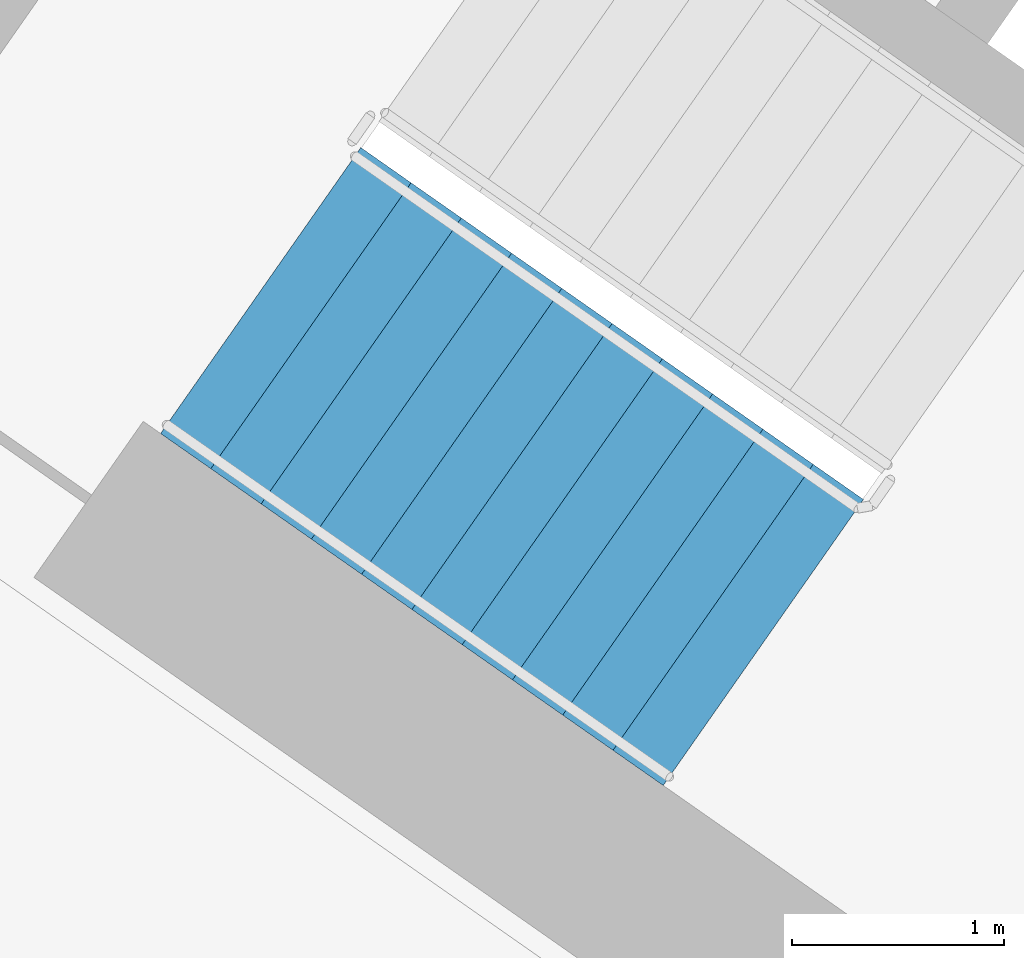
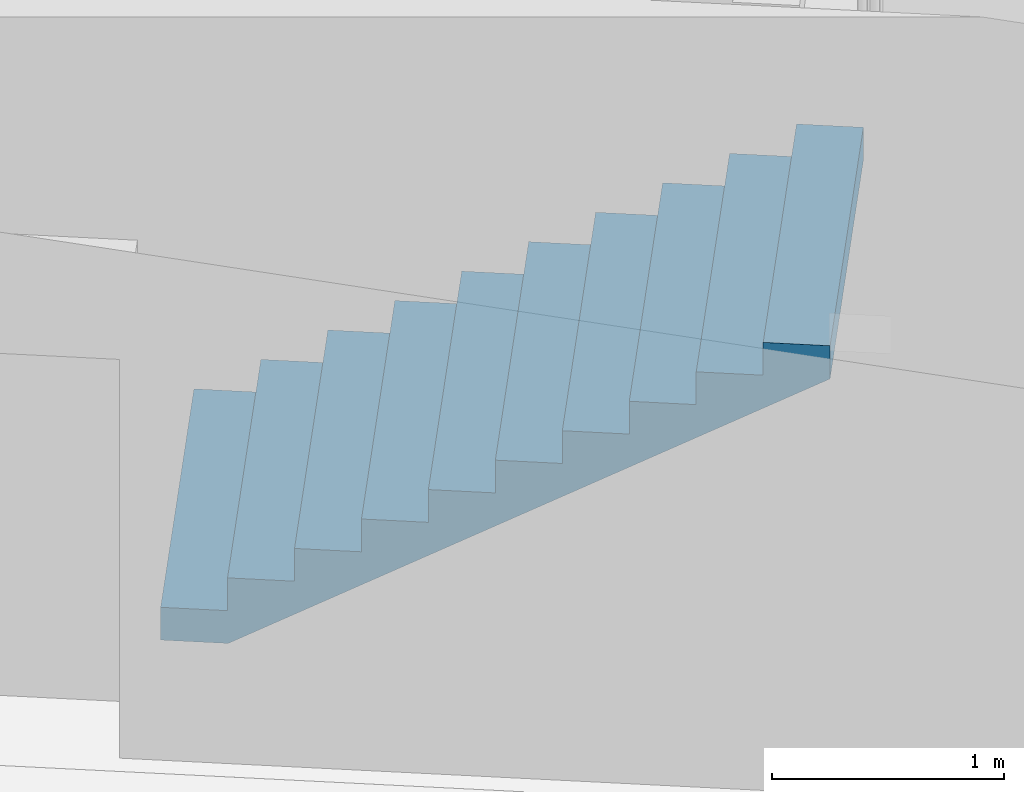
# One storey, part 11 of 29: 1 stair flight, 1 element without a shape of its own.
"""IFC4 building model written with IfcOpenShell, lengths in metres."""

import ifcopenshell
import ifcopenshell.guid

model = None  # the IFC model being written
_history = None  # IfcOwnerHistory: only IFC2X3 demands one
_inside = {}  # id of a spatial element -> (the spatial element, [elements in it])
_under = {}  # id of a project, library or spatial element -> (it, [spatial elements below it])
_declared = {}  # id of a project -> (the project, [libraries it declares])
_typed = {}  # id of a type object -> (the type object, [elements of that type])
_made_of = {}  # id of a material, layer set ... -> (it, [elements and type objects made of it])


def new_model(schema):
    """Start an empty IFC model of exactly this schema.

    Asked for "IFC4X3", IfcOpenShell would pick the latest addendum, in which some entities
    have other attributes; the version numbers below select the first issue.
    IFC2X3 requires an IfcOwnerHistory on every rooted entity: one is made here for all.
    """
    global model, _history
    if schema == "IFC4X3":
        model = ifcopenshell.file(schema_version=(4, 3, 0, 0))
    else:
        model = ifcopenshell.file(schema=schema)
    _inside.clear()
    _under.clear()
    _declared.clear()
    _typed.clear()
    _made_of.clear()
    _history = None
    if model.schema == "IFC2X3":
        org = make("IfcOrganization", Name="unknown")
        user = make(
            "IfcPersonAndOrganization",
            ThePerson=make("IfcPerson", FamilyName="unknown"),
            TheOrganization=org,
        )
        app = make(
            "IfcApplication",
            ApplicationDeveloper=org,
            Version="unknown",
            ApplicationFullName="unknown",
            ApplicationIdentifier="unknown",
        )
        _history = make(
            "IfcOwnerHistory",
            OwningUser=user,
            OwningApplication=app,
            ChangeAction="ADDED",
            CreationDate=0,
        )
    return model


def make(cls, **values):
    """One entity of the class cls with the attributes given. An attribute that is None is left unset."""
    return model.create_entity(
        cls, **{name: value for name, value in values.items() if value is not None}
    )


def rooted(cls, **values):
    """An entity with a GlobalId (a new one), such as an element, a storey or a relation."""
    return make(cls, GlobalId=ifcopenshell.guid.new(), OwnerHistory=_history, **values)


def si_unit(unit_type, name, prefix=None):
    """IfcSIUnit, for example si_unit("LENGTHUNIT", "METRE", prefix="MILLI")."""
    return make("IfcSIUnit", UnitType=unit_type, Prefix=prefix, Name=name)


def assignment(units):
    """IfcUnitAssignment: the units of a project."""
    return None if units is None else make("IfcUnitAssignment", Units=units)


def point(xyz):
    """IfcCartesianPoint."""
    return None if xyz is None else make("IfcCartesianPoint", Coordinates=xyz)


def direction(xyz):
    """IfcDirection."""
    return None if xyz is None else make("IfcDirection", DirectionRatios=xyz)


def frame(location, z_axis=None, x_axis=None):
    """IfcAxis2Placement3D, a coordinate frame: its origin and axes. An axis left out is left unset."""
    return make(
        "IfcAxis2Placement3D",
        Location=point(location),
        Axis=direction(z_axis),
        RefDirection=direction(x_axis),
    )


def origin():
    """The frame at (0, 0, 0) with its axes left unset."""
    return frame((0.0, 0.0, 0.0))


def place(relative_to, where):
    """IfcLocalPlacement: puts the frame where relative to a parent placement (None: the world)."""
    return make(
        "IfcLocalPlacement", PlacementRelTo=relative_to, RelativePlacement=where
    )


def context(
    kind, dimensions, precision=None, world=None, true_north=None, identifier=None
):
    """IfcGeometricRepresentationContext, for example the 3D "Model" context."""
    return make(
        "IfcGeometricRepresentationContext",
        ContextIdentifier=identifier,
        ContextType=kind,
        CoordinateSpaceDimension=dimensions,
        Precision=precision,
        WorldCoordinateSystem=world,
        TrueNorth=true_north,
    )


def subcontext(parent, identifier, kind, view, scale=None):
    """IfcGeometricRepresentationSubContext, for example "Body" below "Model"."""
    return make(
        "IfcGeometricRepresentationSubContext",
        ContextIdentifier=identifier,
        ContextType=kind,
        ParentContext=parent,
        TargetScale=scale,
        TargetView=view,
    )


def project(units=None, contexts=None):
    """IfcProject with its units and contexts."""
    return rooted(
        "IfcProject",
        Name="project",
        RepresentationContexts=contexts,
        UnitsInContext=assignment(units),
    )


def spatial(cls, under=None, at=None, **own):
    """A site, building, storey or space (cls), placed at a placement, below another one or the project."""
    s = rooted(cls, ObjectPlacement=at, **own)
    if under is not None:
        _under.setdefault(under.id(), (under, []))[1].append(s)
    return s


def faces_of(points, faces, orient=None, outer=None):
    """IfcFace entities. A face is a list of loops; a loop is a list of indices into points, from 0.

    orient and outer hold one flag for each loop. By default every Orientation is true, the
    first loop of a face is its IfcFaceOuterBound and the others are IfcFaceBound.
    """
    made = []
    for i, loops in enumerate(faces):
        bounds = []
        for j, loop in enumerate(loops):
            is_outer = j == 0 if outer is None else outer[i][j]
            bounds.append(
                make(
                    "IfcFaceOuterBound" if is_outer else "IfcFaceBound",
                    Bound=make("IfcPolyLoop", Polygon=[points[k] for k in loop]),
                    Orientation=True if orient is None else orient[i][j],
                )
            )
        made.append(make("IfcFace", Bounds=bounds))
    return made


def faceted_brep(points, faces, orient=None, outer=None, voids=None):
    """IfcFacetedBrep: a solid bounded by flat faces; with voids (closed shells), ...WithVoids."""
    shared = [point(p) for p in points]
    hull = make("IfcClosedShell", CfsFaces=faces_of(shared, faces, orient, outer))
    if voids is None:
        return make("IfcFacetedBrep", Outer=hull)
    return make(
        "IfcFacetedBrepWithVoids",
        Outer=hull,
        Voids=[
            make(cls, CfsFaces=faces_of(shared, fs, o, b)) for cls, fs, o, b in voids
        ],
    )


def shape(context_of_items, identifier, shape_type, items):
    """IfcShapeRepresentation: the items that make up one representation, for example the "Body"."""
    return make(
        "IfcShapeRepresentation",
        ContextOfItems=context_of_items,
        RepresentationIdentifier=identifier,
        RepresentationType=shape_type,
        Items=items,
    )


def material(Name=None, Category=None):
    """IfcMaterial."""
    return make("IfcMaterial", Name=Name, Category=Category)


def made_of(thing, what):
    """Note that an element or type object is made of a material, layer set ...; save() writes the relation."""
    if what is not None:
        _made_of.setdefault(what.id(), (what, []))[1].append(thing)
    return thing


def type_object(cls, material=None, **own):
    """A type object (cls), such as IfcWallType, which elements share."""
    return made_of(rooted(cls, **own), material)


def element(
    cls,
    number,
    at=None,
    inside=None,
    cuts=None,
    type_object=None,
    material=None,
    context=None,
    identifier="Body",
    shape_type=None,
    held_by="IfcProductDefinitionShape",
    body=None,
    shapes=None,
    **own,
):
    """One element of the class cls, such as IfcWall. Its Tag is "e" and its number.

    at: its placement. inside: the storey or other place that contains it. cuts: it is an
    opening in that element (IfcRelVoidsElement). A single representation is given by context,
    identifier, shape_type and body (its items); several are given by shapes. held_by: the class
    of the entity that holds the representations. save() writes the other relations.
    """
    e = rooted(cls, Tag="e%d" % number, ObjectPlacement=at, **own)
    if body is not None:
        shapes = [shape(context, identifier, shape_type, body)]
    if shapes is not None:
        e.Representation = make(held_by, Representations=shapes)
    if inside is not None:
        _inside.setdefault(inside.id(), (inside, []))[1].append(e)
    if cuts is not None:
        rooted(
            "IfcRelVoidsElement", RelatingBuildingElement=cuts, RelatedOpeningElement=e
        )
    if type_object is not None:
        _typed.setdefault(type_object.id(), (type_object, []))[1].append(e)
    return made_of(e, material)


def aggregate(whole, parts):
    """IfcRelAggregates: a whole, such as a stair, and the parts it consists of."""
    return rooted("IfcRelAggregates", RelatingObject=whole, RelatedObjects=parts)


def save(model, path):
    """Write the relations noted so far, then the file.

    IfcRelAggregates (storeys below a building ...), IfcRelContainedInSpatialStructure (elements
    in a storey), IfcRelDefinesByType, IfcRelAssociatesMaterial and IfcRelDeclares: one each for
    every whole, place, type object, material and project.
    """
    for whole, parts in _under.values():
        aggregate(whole, parts)
    for where, things in _inside.values():
        rooted(
            "IfcRelContainedInSpatialStructure",
            RelatedElements=things,
            RelatingStructure=where,
        )
    for kind, things in _typed.values():
        rooted("IfcRelDefinesByType", RelatedObjects=things, RelatingType=kind)
    for what, things in _made_of.values():
        rooted("IfcRelAssociatesMaterial", RelatedObjects=things, RelatingMaterial=what)
    for by, libraries in _declared.values():
        rooted("IfcRelDeclares", RelatingContext=by, RelatedDefinitions=libraries)
    model.write(path)


model = new_model("IFC4")

# Units and contexts
model_context = context("Model", 3, precision=1e-05, world=origin(), true_north=direction((0.0, 1.0)))
body_context = subcontext(model_context, "Body", "Model", "MODEL_VIEW")
ifc_project = project(units=[si_unit("LENGTHUNIT", "METRE"), si_unit("AREAUNIT", "SQUARE_METRE"), si_unit("VOLUMEUNIT", "CUBIC_METRE"), si_unit("PLANEANGLEUNIT", "RADIAN"), si_unit("MASSUNIT", "GRAM", prefix="KILO")], contexts=[model_context])

# Site, building, storey
site_placement = place(None, origin())
site = spatial("IfcSite", under=ifc_project, at=site_placement, CompositionType="ELEMENT")
building_placement = place(site_placement, origin())
building = spatial("IfcBuilding", under=site, at=building_placement, Name="Qamariyya Broadcast Tower", CompositionType="ELEMENT")
storey_placement = place(building_placement, frame((0.0, 0.0, 129.10009765625)))
storey = spatial("IfcBuildingStorey", under=building, at=storey_placement, Name="L29", CompositionType="ELEMENT", Elevation=129.10009765625)

# Stair, stair flight
ifc_material = material(Name="Concrete C50/60", Category="concrete")
stair_type = type_object("IfcStairType", Name="Exit stair 22 risers of 173 mm", PredefinedType="HALF_TURN_STAIR", material=ifc_material)
stair_placement = place(storey_placement, origin())
stair = element("IfcStair", 1, at=stair_placement, inside=storey, type_object=stair_type, Name="L29 Stair W1", PredefinedType="HALF_TURN_STAIR")
stair_flight_type = type_object("IfcStairFlightType", Name="Exit stair flight 11 risers of 173 mm", PredefinedType="STRAIGHT", material=ifc_material)
stair_flight_placement = place(storey_placement, frame((-47.06884765625, -56.982666015625, 0.0), z_axis=(0.0, 0.0, 1.0), x_axis=(0.819152044289, -0.573576436351, 0.0)))
stair_flight = element("IfcStairFlight", 2, at=stair_flight_placement, type_object=stair_flight_type, Name="ST-W1 flight 1", NumberOfRisers=11, NumberOfTreads=10, PredefinedType="STRAIGHT", RiserHeight=0.172727273, TreadLength=0.29, context=body_context, shape_type="Brep", body=[
    faceted_brep([(0.0, 0.824951171875, 0.0), (0.0, 0.824951171875, 0.172607421875), (0.2900390625, 0.824951171875, 0.172607421875), (0.2900390625, 0.824951171875, 0.345458984375), (0.580078125, 0.824951171875, 0.345458984375), (0.580078125, 0.824951171875, 0.51806640625), (0.8701171875, 0.824951171875, 0.51806640625), (0.8701171875, 0.824951171875, 0.69091796875), (1.159912109375, 0.824951171875, 0.69091796875), (1.159912109375, 0.824951171875, 0.863525390625), (1.449951171875, 0.824951171875, 0.863525390625), (1.449951171875, 0.824951171875, 1.036376953125), (1.739990234375, 0.824951171875, 1.036376953125), (1.739990234375, 0.824951171875, 1.208984375), (2.030029296875, 0.824951171875, 1.208984375), (2.030029296875, 0.824951171875, 1.3818359375), (2.320068359375, 0.824951171875, 1.3818359375), (2.320068359375, 0.824951171875, 1.554443359375), (2.610107421875, 0.824951171875, 1.554443359375), (2.610107421875, 0.824951171875, 1.727294921875), (2.89990234375, 0.824951171875, 1.727294921875), (2.89990234375, 0.824951171875, 1.552734375), (0.29296875, 0.824951171875, 0.0), (0.29296875, -0.824951171875, 0.0), (2.89990234375, -0.824951171875, 1.552734375), (2.89990234375, -0.824951171875, 1.727294921875), (2.610107421875, -0.824951171875, 1.727294921875), (2.610107421875, -0.824951171875, 1.554443359375), (2.320068359375, -0.824951171875, 1.554443359375), (2.320068359375, -0.824951171875, 1.3818359375), (2.030029296875, -0.824951171875, 1.3818359375), (2.030029296875, -0.824951171875, 1.208984375), (1.739990234375, -0.824951171875, 1.208984375), (1.739990234375, -0.824951171875, 1.036376953125), (1.449951171875, -0.824951171875, 1.036376953125), (1.449951171875, -0.824951171875, 0.863525390625), (1.159912109375, -0.824951171875, 0.863525390625), (1.159912109375, -0.824951171875, 0.69091796875), (0.8701171875, -0.824951171875, 0.69091796875), (0.8701171875, -0.824951171875, 0.51806640625), (0.580078125, -0.824951171875, 0.51806640625), (0.580078125, -0.824951171875, 0.345458984375), (0.2900390625, -0.824951171875, 0.345458984375), (0.2900390625, -0.824951171875, 0.172607421875), (0.0, -0.824951171875, 0.172607421875), (0.0, -0.824951171875, 0.0), (0.0, 0.10009765625, 0.0), (0.0, 0.086669921875, 0.0), (0.0, 0.0732421875, 0.0), (0.0, 0.06005859375, 0.0), (0.0, 0.046630859375, 0.0), (0.0, 0.033447265625, 0.0), (0.0, 0.02001953125, 0.0), (0.0, 0.006591796875, 0.0), (0.0, -0.006591796875, 0.0), (0.0, -0.02001953125, 0.0), (0.0, -0.033447265625, 0.0), (0.0, -0.046630859375, 0.0), (0.0, -0.06005859375, 0.0), (0.0, -0.0732421875, 0.0), (0.0, -0.086669921875, 0.0), (0.0, -0.10009765625, 0.0), (0.0, -0.10009765625, 0.172607421875), (0.0, -0.086669921875, 0.172607421875), (0.0, -0.0732421875, 0.172607421875), (0.0, -0.06005859375, 0.172607421875), (0.0, -0.046630859375, 0.172607421875), (0.0, -0.033447265625, 0.172607421875), (0.0, -0.02001953125, 0.172607421875), (0.0, -0.006591796875, 0.172607421875), (0.0, 0.006591796875, 0.172607421875), (0.0, 0.02001953125, 0.172607421875), (0.0, 0.033447265625, 0.172607421875), (0.0, 0.046630859375, 0.172607421875), (0.0, 0.06005859375, 0.172607421875), (0.0, 0.0732421875, 0.172607421875), (0.0, 0.086669921875, 0.172607421875), (0.0, 0.10009765625, 0.172607421875), (0.2900390625, -0.10009765625, 0.172607421875), (0.2900390625, -0.086669921875, 0.172607421875), (0.2900390625, -0.0732421875, 0.172607421875), (0.2900390625, -0.06005859375, 0.172607421875), (0.2900390625, -0.046630859375, 0.172607421875), (0.2900390625, -0.033447265625, 0.172607421875), (0.2900390625, -0.02001953125, 0.172607421875), (0.2900390625, -0.006591796875, 0.172607421875), (0.2900390625, 0.006591796875, 0.172607421875), (0.2900390625, 0.02001953125, 0.172607421875), (0.2900390625, 0.033447265625, 0.172607421875), (0.2900390625, 0.046630859375, 0.172607421875), (0.2900390625, 0.06005859375, 0.172607421875), (0.2900390625, 0.0732421875, 0.172607421875), (0.2900390625, 0.086669921875, 0.172607421875), (0.2900390625, 0.10009765625, 0.172607421875), (0.2900390625, -0.10009765625, 0.345458984375), (0.2900390625, -0.086669921875, 0.345458984375), (0.2900390625, -0.0732421875, 0.345458984375), (0.2900390625, -0.06005859375, 0.345458984375), (0.2900390625, -0.046630859375, 0.345458984375), (0.2900390625, -0.033447265625, 0.345458984375), (0.2900390625, -0.02001953125, 0.345458984375), (0.2900390625, -0.006591796875, 0.345458984375), (0.2900390625, 0.006591796875, 0.345458984375), (0.2900390625, 0.02001953125, 0.345458984375), (0.2900390625, 0.033447265625, 0.345458984375), (0.2900390625, 0.046630859375, 0.345458984375), (0.2900390625, 0.06005859375, 0.345458984375), (0.2900390625, 0.0732421875, 0.345458984375), (0.2900390625, 0.086669921875, 0.345458984375), (0.2900390625, 0.10009765625, 0.345458984375), (0.580078125, -0.10009765625, 0.345458984375), (0.580078125, -0.086669921875, 0.345458984375), (0.580078125, -0.0732421875, 0.345458984375), (0.580078125, -0.06005859375, 0.345458984375), (0.580078125, -0.046630859375, 0.345458984375), (0.580078125, -0.033447265625, 0.345458984375), (0.580078125, -0.02001953125, 0.345458984375), (0.580078125, -0.006591796875, 0.345458984375), (0.580078125, 0.006591796875, 0.345458984375), (0.580078125, 0.02001953125, 0.345458984375), (0.580078125, 0.033447265625, 0.345458984375), (0.580078125, 0.046630859375, 0.345458984375), (0.580078125, 0.06005859375, 0.345458984375), (0.580078125, 0.0732421875, 0.345458984375), (0.580078125, 0.086669921875, 0.345458984375), (0.580078125, 0.10009765625, 0.345458984375), (0.580078125, -0.10009765625, 0.51806640625), (0.580078125, -0.086669921875, 0.51806640625), (0.580078125, -0.0732421875, 0.51806640625), (0.580078125, -0.06005859375, 0.51806640625), (0.580078125, -0.046630859375, 0.51806640625), (0.580078125, -0.033447265625, 0.51806640625), (0.580078125, -0.02001953125, 0.51806640625), (0.580078125, -0.006591796875, 0.51806640625), (0.580078125, 0.006591796875, 0.51806640625), (0.580078125, 0.02001953125, 0.51806640625), (0.580078125, 0.033447265625, 0.51806640625), (0.580078125, 0.046630859375, 0.51806640625), (0.580078125, 0.06005859375, 0.51806640625), (0.580078125, 0.0732421875, 0.51806640625), (0.580078125, 0.086669921875, 0.51806640625), (0.580078125, 0.10009765625, 0.51806640625), (0.8701171875, -0.10009765625, 0.51806640625), (0.8701171875, -0.086669921875, 0.51806640625), (0.8701171875, -0.0732421875, 0.51806640625), (0.8701171875, -0.06005859375, 0.51806640625), (0.8701171875, -0.046630859375, 0.51806640625), (0.8701171875, -0.033447265625, 0.51806640625), (0.8701171875, -0.02001953125, 0.51806640625), (0.8701171875, -0.006591796875, 0.51806640625), (0.8701171875, 0.006591796875, 0.51806640625), (0.8701171875, 0.02001953125, 0.51806640625), (0.8701171875, 0.033447265625, 0.51806640625), (0.8701171875, 0.046630859375, 0.51806640625), (0.8701171875, 0.06005859375, 0.51806640625), (0.8701171875, 0.0732421875, 0.51806640625), (0.8701171875, 0.086669921875, 0.51806640625), (0.8701171875, 0.10009765625, 0.51806640625), (0.8701171875, -0.10009765625, 0.69091796875), (0.8701171875, -0.086669921875, 0.69091796875), (0.8701171875, -0.0732421875, 0.69091796875), (0.8701171875, -0.06005859375, 0.69091796875), (0.8701171875, -0.046630859375, 0.69091796875), (0.8701171875, -0.033447265625, 0.69091796875), (0.8701171875, -0.02001953125, 0.69091796875), (0.8701171875, -0.006591796875, 0.69091796875), (0.8701171875, 0.006591796875, 0.69091796875), (0.8701171875, 0.02001953125, 0.69091796875), (0.8701171875, 0.033447265625, 0.69091796875), (0.8701171875, 0.046630859375, 0.69091796875), (0.8701171875, 0.06005859375, 0.69091796875), (0.8701171875, 0.0732421875, 0.69091796875), (0.8701171875, 0.086669921875, 0.69091796875), (0.8701171875, 0.10009765625, 0.69091796875), (1.159912109375, -0.10009765625, 0.69091796875), (1.159912109375, -0.086669921875, 0.69091796875), (1.159912109375, -0.0732421875, 0.69091796875), (1.159912109375, -0.06005859375, 0.69091796875), (1.159912109375, -0.046630859375, 0.69091796875), (1.159912109375, -0.033447265625, 0.69091796875), (1.159912109375, -0.02001953125, 0.69091796875), (1.159912109375, -0.006591796875, 0.69091796875), (1.159912109375, 0.006591796875, 0.69091796875), (1.159912109375, 0.02001953125, 0.69091796875), (1.159912109375, 0.033447265625, 0.69091796875), (1.159912109375, 0.046630859375, 0.69091796875), (1.159912109375, 0.06005859375, 0.69091796875), (1.159912109375, 0.0732421875, 0.69091796875), (1.159912109375, 0.086669921875, 0.69091796875), (1.159912109375, 0.10009765625, 0.69091796875), (1.159912109375, -0.10009765625, 0.863525390625), (1.159912109375, -0.086669921875, 0.863525390625), (1.159912109375, -0.0732421875, 0.863525390625), (1.159912109375, -0.06005859375, 0.863525390625), (1.159912109375, -0.046630859375, 0.863525390625), (1.159912109375, -0.033447265625, 0.863525390625), (1.159912109375, -0.02001953125, 0.863525390625), (1.159912109375, -0.006591796875, 0.863525390625), (1.159912109375, 0.006591796875, 0.863525390625), (1.159912109375, 0.02001953125, 0.863525390625), (1.159912109375, 0.033447265625, 0.863525390625), (1.159912109375, 0.046630859375, 0.863525390625), (1.159912109375, 0.06005859375, 0.863525390625), (1.159912109375, 0.0732421875, 0.863525390625), (1.159912109375, 0.086669921875, 0.863525390625), (1.159912109375, 0.10009765625, 0.863525390625), (1.449951171875, -0.10009765625, 0.863525390625), (1.449951171875, -0.086669921875, 0.863525390625), (1.449951171875, -0.0732421875, 0.863525390625), (1.449951171875, -0.06005859375, 0.863525390625), (1.449951171875, -0.046630859375, 0.863525390625), (1.449951171875, -0.033447265625, 0.863525390625), (1.449951171875, -0.02001953125, 0.863525390625), (1.449951171875, -0.006591796875, 0.863525390625), (1.449951171875, 0.006591796875, 0.863525390625), (1.449951171875, 0.02001953125, 0.863525390625), (1.449951171875, 0.033447265625, 0.863525390625), (1.449951171875, 0.046630859375, 0.863525390625), (1.449951171875, 0.06005859375, 0.863525390625), (1.449951171875, 0.0732421875, 0.863525390625), (1.449951171875, 0.086669921875, 0.863525390625), (1.449951171875, 0.10009765625, 0.863525390625), (1.449951171875, -0.10009765625, 1.036376953125), (1.449951171875, -0.086669921875, 1.036376953125), (1.449951171875, -0.0732421875, 1.036376953125), (1.449951171875, -0.06005859375, 1.036376953125), (1.449951171875, -0.046630859375, 1.036376953125), (1.449951171875, -0.033447265625, 1.036376953125), (1.449951171875, -0.02001953125, 1.036376953125), (1.449951171875, -0.006591796875, 1.036376953125), (1.449951171875, 0.006591796875, 1.036376953125), (1.449951171875, 0.02001953125, 1.036376953125), (1.449951171875, 0.033447265625, 1.036376953125), (1.449951171875, 0.046630859375, 1.036376953125), (1.449951171875, 0.06005859375, 1.036376953125), (1.449951171875, 0.0732421875, 1.036376953125), (1.449951171875, 0.086669921875, 1.036376953125), (1.449951171875, 0.10009765625, 1.036376953125), (1.739990234375, -0.10009765625, 1.036376953125), (1.739990234375, -0.086669921875, 1.036376953125), (1.739990234375, -0.0732421875, 1.036376953125), (1.739990234375, -0.06005859375, 1.036376953125), (1.739990234375, -0.046630859375, 1.036376953125), (1.739990234375, -0.033447265625, 1.036376953125), (1.739990234375, -0.02001953125, 1.036376953125), (1.739990234375, -0.006591796875, 1.036376953125), (1.739990234375, 0.006591796875, 1.036376953125), (1.739990234375, 0.02001953125, 1.036376953125), (1.739990234375, 0.033447265625, 1.036376953125), (1.739990234375, 0.046630859375, 1.036376953125), (1.739990234375, 0.06005859375, 1.036376953125), (1.739990234375, 0.0732421875, 1.036376953125), (1.739990234375, 0.086669921875, 1.036376953125), (1.739990234375, 0.10009765625, 1.036376953125), (1.739990234375, -0.10009765625, 1.208984375), (1.739990234375, -0.086669921875, 1.208984375), (1.739990234375, -0.0732421875, 1.208984375), (1.739990234375, -0.06005859375, 1.208984375), (1.739990234375, -0.046630859375, 1.208984375), (1.739990234375, -0.033447265625, 1.208984375), (1.739990234375, -0.02001953125, 1.208984375), (1.739990234375, -0.006591796875, 1.208984375), (1.739990234375, 0.006591796875, 1.208984375), (1.739990234375, 0.02001953125, 1.208984375), (1.739990234375, 0.033447265625, 1.208984375), (1.739990234375, 0.046630859375, 1.208984375), (1.739990234375, 0.06005859375, 1.208984375), (1.739990234375, 0.0732421875, 1.208984375), (1.739990234375, 0.086669921875, 1.208984375), (1.739990234375, 0.10009765625, 1.208984375), (2.030029296875, -0.10009765625, 1.208984375), (2.030029296875, -0.086669921875, 1.208984375), (2.030029296875, -0.0732421875, 1.208984375), (2.030029296875, -0.06005859375, 1.208984375), (2.030029296875, -0.046630859375, 1.208984375), (2.030029296875, -0.033447265625, 1.208984375), (2.030029296875, -0.02001953125, 1.208984375), (2.030029296875, -0.006591796875, 1.208984375), (2.030029296875, 0.006591796875, 1.208984375), (2.030029296875, 0.02001953125, 1.208984375), (2.030029296875, 0.033447265625, 1.208984375), (2.030029296875, 0.046630859375, 1.208984375), (2.030029296875, 0.06005859375, 1.208984375), (2.030029296875, 0.0732421875, 1.208984375), (2.030029296875, 0.086669921875, 1.208984375), (2.030029296875, 0.10009765625, 1.208984375), (2.030029296875, -0.10009765625, 1.3818359375), (2.030029296875, -0.086669921875, 1.3818359375), (2.030029296875, -0.0732421875, 1.3818359375), (2.030029296875, -0.06005859375, 1.3818359375), (2.030029296875, -0.046630859375, 1.3818359375), (2.030029296875, -0.033447265625, 1.3818359375), (2.030029296875, -0.02001953125, 1.3818359375), (2.030029296875, -0.006591796875, 1.3818359375), (2.030029296875, 0.006591796875, 1.3818359375), (2.030029296875, 0.02001953125, 1.3818359375), (2.030029296875, 0.033447265625, 1.3818359375), (2.030029296875, 0.046630859375, 1.3818359375), (2.030029296875, 0.06005859375, 1.3818359375), (2.030029296875, 0.0732421875, 1.3818359375), (2.030029296875, 0.086669921875, 1.3818359375), (2.030029296875, 0.10009765625, 1.3818359375), (2.320068359375, -0.10009765625, 1.3818359375), (2.320068359375, -0.086669921875, 1.3818359375), (2.320068359375, -0.0732421875, 1.3818359375), (2.320068359375, -0.06005859375, 1.3818359375), (2.320068359375, -0.046630859375, 1.3818359375), (2.320068359375, -0.033447265625, 1.3818359375), (2.320068359375, -0.02001953125, 1.3818359375), (2.320068359375, -0.006591796875, 1.3818359375), (2.320068359375, 0.006591796875, 1.3818359375), (2.320068359375, 0.02001953125, 1.3818359375), (2.320068359375, 0.033447265625, 1.3818359375), (2.320068359375, 0.046630859375, 1.3818359375), (2.320068359375, 0.06005859375, 1.3818359375), (2.320068359375, 0.0732421875, 1.3818359375), (2.320068359375, 0.086669921875, 1.3818359375), (2.320068359375, 0.10009765625, 1.3818359375), (2.320068359375, -0.10009765625, 1.554443359375), (2.320068359375, -0.086669921875, 1.554443359375), (2.320068359375, -0.0732421875, 1.554443359375), (2.320068359375, -0.06005859375, 1.554443359375), (2.320068359375, -0.046630859375, 1.554443359375), (2.320068359375, -0.033447265625, 1.554443359375), (2.320068359375, -0.02001953125, 1.554443359375), (2.320068359375, -0.006591796875, 1.554443359375), (2.320068359375, 0.006591796875, 1.554443359375), (2.320068359375, 0.02001953125, 1.554443359375), (2.320068359375, 0.033447265625, 1.554443359375), (2.320068359375, 0.046630859375, 1.554443359375), (2.320068359375, 0.06005859375, 1.554443359375), (2.320068359375, 0.0732421875, 1.554443359375), (2.320068359375, 0.086669921875, 1.554443359375), (2.320068359375, 0.10009765625, 1.554443359375), (2.610107421875, -0.10009765625, 1.554443359375), (2.610107421875, -0.086669921875, 1.554443359375), (2.610107421875, -0.0732421875, 1.554443359375), (2.610107421875, -0.06005859375, 1.554443359375), (2.610107421875, -0.046630859375, 1.554443359375), (2.610107421875, -0.033447265625, 1.554443359375), (2.610107421875, -0.02001953125, 1.554443359375), (2.610107421875, -0.006591796875, 1.554443359375), (2.610107421875, 0.006591796875, 1.554443359375), (2.610107421875, 0.02001953125, 1.554443359375), (2.610107421875, 0.033447265625, 1.554443359375), (2.610107421875, 0.046630859375, 1.554443359375), (2.610107421875, 0.06005859375, 1.554443359375), (2.610107421875, 0.0732421875, 1.554443359375), (2.610107421875, 0.086669921875, 1.554443359375), (2.610107421875, 0.10009765625, 1.554443359375), (2.610107421875, -0.10009765625, 1.727294921875), (2.610107421875, -0.086669921875, 1.727294921875), (2.610107421875, -0.0732421875, 1.727294921875), (2.610107421875, -0.06005859375, 1.727294921875), (2.610107421875, -0.046630859375, 1.727294921875), (2.610107421875, -0.033447265625, 1.727294921875), (2.610107421875, -0.02001953125, 1.727294921875), (2.610107421875, -0.006591796875, 1.727294921875), (2.610107421875, 0.006591796875, 1.727294921875), (2.610107421875, 0.02001953125, 1.727294921875), (2.610107421875, 0.033447265625, 1.727294921875), (2.610107421875, 0.046630859375, 1.727294921875), (2.610107421875, 0.06005859375, 1.727294921875), (2.610107421875, 0.0732421875, 1.727294921875), (2.610107421875, 0.086669921875, 1.727294921875), (2.610107421875, 0.10009765625, 1.727294921875), (2.89990234375, -0.10009765625, 1.727294921875), (2.89990234375, -0.086669921875, 1.727294921875), (2.89990234375, -0.0732421875, 1.727294921875), (2.89990234375, -0.06005859375, 1.727294921875), (2.89990234375, -0.046630859375, 1.727294921875), (2.89990234375, -0.033447265625, 1.727294921875), (2.89990234375, -0.02001953125, 1.727294921875), (2.89990234375, -0.006591796875, 1.727294921875), (2.89990234375, 0.006591796875, 1.727294921875), (2.89990234375, 0.02001953125, 1.727294921875), (2.89990234375, 0.033447265625, 1.727294921875), (2.89990234375, 0.046630859375, 1.727294921875), (2.89990234375, 0.06005859375, 1.727294921875), (2.89990234375, 0.0732421875, 1.727294921875), (2.89990234375, 0.086669921875, 1.727294921875), (2.89990234375, 0.10009765625, 1.727294921875), (2.89990234375, -0.10009765625, 1.552734375), (2.89990234375, -0.086669921875, 1.552734375), (2.89990234375, -0.0732421875, 1.552734375), (2.89990234375, -0.06005859375, 1.552734375), (2.89990234375, -0.046630859375, 1.552734375), (2.89990234375, -0.033447265625, 1.552734375), (2.89990234375, -0.02001953125, 1.552734375), (2.89990234375, -0.006591796875, 1.552734375), (2.89990234375, 0.006591796875, 1.552734375), (2.89990234375, 0.02001953125, 1.552734375), (2.89990234375, 0.033447265625, 1.552734375), (2.89990234375, 0.046630859375, 1.552734375), (2.89990234375, 0.06005859375, 1.552734375), (2.89990234375, 0.0732421875, 1.552734375), (2.89990234375, 0.086669921875, 1.552734375), (2.89990234375, 0.10009765625, 1.552734375), (0.29296875, -0.10009765625, 0.0), (0.29296875, -0.086669921875, 0.0), (0.29296875, -0.0732421875, 0.0), (0.29296875, -0.06005859375, 0.0), (0.29296875, -0.046630859375, 0.0), (0.29296875, -0.033447265625, 0.0), (0.29296875, -0.02001953125, 0.0), (0.29296875, -0.006591796875, 0.0), (0.29296875, 0.006591796875, 0.0), (0.29296875, 0.02001953125, 0.0), (0.29296875, 0.033447265625, 0.0), (0.29296875, 0.046630859375, 0.0), (0.29296875, 0.06005859375, 0.0), (0.29296875, 0.0732421875, 0.0), (0.29296875, 0.086669921875, 0.0), (0.29296875, 0.10009765625, 0.0)], [[[0, 1, 2, 3, 4, 5, 6, 7, 8, 9, 10, 11, 12, 13, 14, 15, 16, 17, 18, 19, 20, 21, 22]], [[23, 24, 25, 26, 27, 28, 29, 30, 31, 32, 33, 34, 35, 36, 37, 38, 39, 40, 41, 42, 43, 44, 45]], [[0, 46, 47, 48, 49, 50, 51, 52, 53, 54, 55, 56, 57, 58, 59, 60, 61, 45, 44, 62, 63, 64, 65, 66, 67, 68, 69, 70, 71, 72, 73, 74, 75, 76, 77, 1]], [[1, 77, 76, 75, 74, 73, 72, 71, 70, 69, 68, 67, 66, 65, 64, 63, 62, 44, 43, 78, 79, 80, 81, 82, 83, 84, 85, 86, 87, 88, 89, 90, 91, 92, 93, 2]], [[2, 93, 92, 91, 90, 89, 88, 87, 86, 85, 84, 83, 82, 81, 80, 79, 78, 43, 42, 94, 95, 96, 97, 98, 99, 100, 101, 102, 103, 104, 105, 106, 107, 108, 109, 3]], [[3, 109, 108, 107, 106, 105, 104, 103, 102, 101, 100, 99, 98, 97, 96, 95, 94, 42, 41, 110, 111, 112, 113, 114, 115, 116, 117, 118, 119, 120, 121, 122, 123, 124, 125, 4]], [[4, 125, 124, 123, 122, 121, 120, 119, 118, 117, 116, 115, 114, 113, 112, 111, 110, 41, 40, 126, 127, 128, 129, 130, 131, 132, 133, 134, 135, 136, 137, 138, 139, 140, 141, 5]], [[5, 141, 140, 139, 138, 137, 136, 135, 134, 133, 132, 131, 130, 129, 128, 127, 126, 40, 39, 142, 143, 144, 145, 146, 147, 148, 149, 150, 151, 152, 153, 154, 155, 156, 157, 6]], [[6, 157, 156, 155, 154, 153, 152, 151, 150, 149, 148, 147, 146, 145, 144, 143, 142, 39, 38, 158, 159, 160, 161, 162, 163, 164, 165, 166, 167, 168, 169, 170, 171, 172, 173, 7]], [[7, 173, 172, 171, 170, 169, 168, 167, 166, 165, 164, 163, 162, 161, 160, 159, 158, 38, 37, 174, 175, 176, 177, 178, 179, 180, 181, 182, 183, 184, 185, 186, 187, 188, 189, 8]], [[8, 189, 188, 187, 186, 185, 184, 183, 182, 181, 180, 179, 178, 177, 176, 175, 174, 37, 36, 190, 191, 192, 193, 194, 195, 196, 197, 198, 199, 200, 201, 202, 203, 204, 205, 9]], [[9, 205, 204, 203, 202, 201, 200, 199, 198, 197, 196, 195, 194, 193, 192, 191, 190, 36, 35, 206, 207, 208, 209, 210, 211, 212, 213, 214, 215, 216, 217, 218, 219, 220, 221, 10]], [[10, 221, 220, 219, 218, 217, 216, 215, 214, 213, 212, 211, 210, 209, 208, 207, 206, 35, 34, 222, 223, 224, 225, 226, 227, 228, 229, 230, 231, 232, 233, 234, 235, 236, 237, 11]], [[11, 237, 236, 235, 234, 233, 232, 231, 230, 229, 228, 227, 226, 225, 224, 223, 222, 34, 33, 238, 239, 240, 241, 242, 243, 244, 245, 246, 247, 248, 249, 250, 251, 252, 253, 12]], [[12, 253, 252, 251, 250, 249, 248, 247, 246, 245, 244, 243, 242, 241, 240, 239, 238, 33, 32, 254, 255, 256, 257, 258, 259, 260, 261, 262, 263, 264, 265, 266, 267, 268, 269, 13]], [[13, 269, 268, 267, 266, 265, 264, 263, 262, 261, 260, 259, 258, 257, 256, 255, 254, 32, 31, 270, 271, 272, 273, 274, 275, 276, 277, 278, 279, 280, 281, 282, 283, 284, 285, 14]], [[14, 285, 284, 283, 282, 281, 280, 279, 278, 277, 276, 275, 274, 273, 272, 271, 270, 31, 30, 286, 287, 288, 289, 290, 291, 292, 293, 294, 295, 296, 297, 298, 299, 300, 301, 15]], [[15, 301, 300, 299, 298, 297, 296, 295, 294, 293, 292, 291, 290, 289, 288, 287, 286, 30, 29, 302, 303, 304, 305, 306, 307, 308, 309, 310, 311, 312, 313, 314, 315, 316, 317, 16]], [[16, 317, 316, 315, 314, 313, 312, 311, 310, 309, 308, 307, 306, 305, 304, 303, 302, 29, 28, 318, 319, 320, 321, 322, 323, 324, 325, 326, 327, 328, 329, 330, 331, 332, 333, 17]], [[17, 333, 332, 331, 330, 329, 328, 327, 326, 325, 324, 323, 322, 321, 320, 319, 318, 28, 27, 334, 335, 336, 337, 338, 339, 340, 341, 342, 343, 344, 345, 346, 347, 348, 349, 18]], [[18, 349, 348, 347, 346, 345, 344, 343, 342, 341, 340, 339, 338, 337, 336, 335, 334, 27, 26, 350, 351, 352, 353, 354, 355, 356, 357, 358, 359, 360, 361, 362, 363, 364, 365, 19]], [[19, 365, 364, 363, 362, 361, 360, 359, 358, 357, 356, 355, 354, 353, 352, 351, 350, 26, 25, 366, 367, 368, 369, 370, 371, 372, 373, 374, 375, 376, 377, 378, 379, 380, 381, 20]], [[20, 381, 380, 379, 378, 377, 376, 375, 374, 373, 372, 371, 370, 369, 368, 367, 366, 25, 24, 382, 383, 384, 385, 386, 387, 388, 389, 390, 391, 392, 393, 394, 395, 396, 397, 21]], [[21, 397, 396, 395, 394, 393, 392, 391, 390, 389, 388, 387, 386, 385, 384, 383, 382, 24, 23, 398, 399, 400, 401, 402, 403, 404, 405, 406, 407, 408, 409, 410, 411, 412, 413, 22]], [[22, 413, 412, 411, 410, 409, 408, 407, 406, 405, 404, 403, 402, 401, 400, 399, 398, 23, 45, 61, 60, 59, 58, 57, 56, 55, 54, 53, 52, 51, 50, 49, 48, 47, 46, 0]]]),
])
aggregate(stair, [stair_flight])

save(model, "model.ifc")
